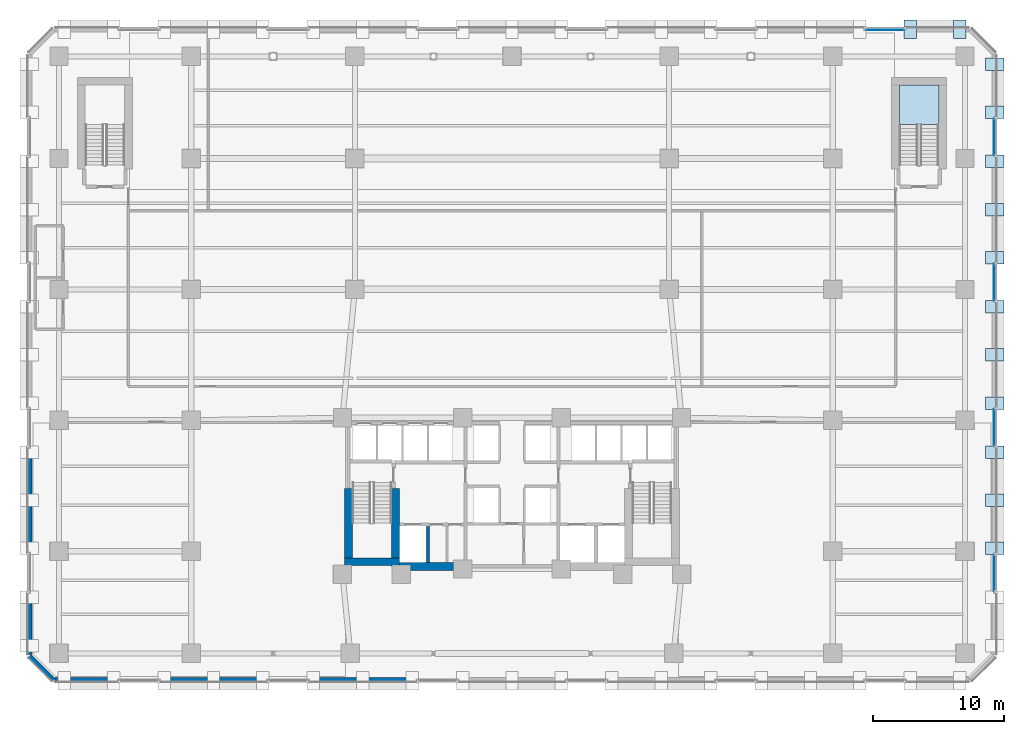
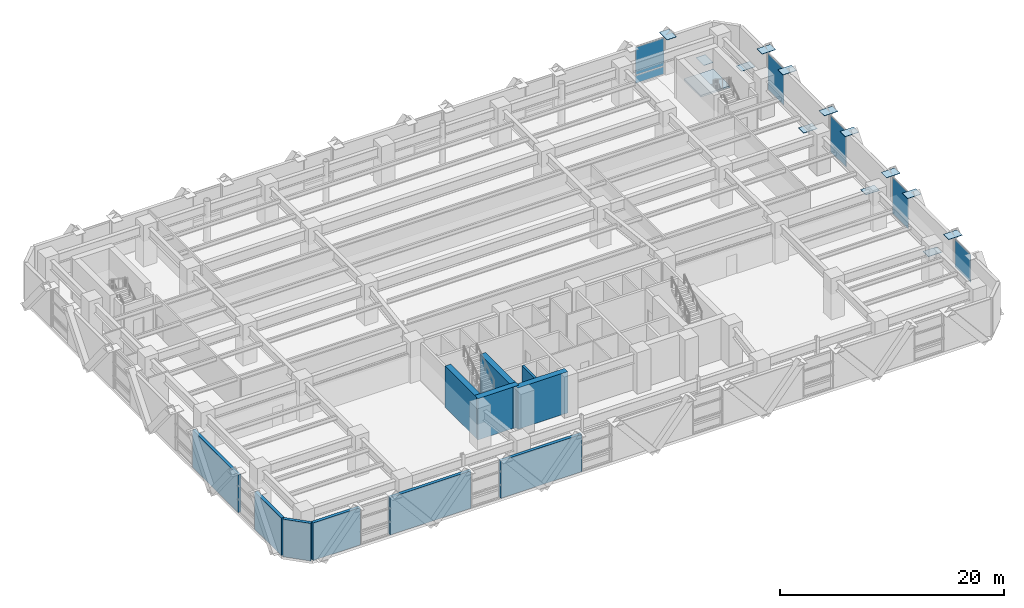
# One storey, part 13 of 26: 22 plates, 11 walls, 1 slab, 6 elements without a shape of their own.
"""IFC4 building model written with IfcOpenShell, lengths in metres."""

from ifc_helpers import new_model, si_unit, direction, frame, frame_2d, origin, origin_2d, place, context, subcontext, project, spatial, polyline, rectangle, outline, extrude, material, layer, layer_set, type_object, element, aggregate, save


model = new_model("IFC4")

# Units and contexts
model_context = context("Model", 3, precision=1e-05, world=origin(), true_north=direction((0.0, 1.0)))
body_context = subcontext(model_context, "Body", "Model", "MODEL_VIEW")
ifc_project = project(units=[si_unit("LENGTHUNIT", "METRE"), si_unit("AREAUNIT", "SQUARE_METRE"), si_unit("VOLUMEUNIT", "CUBIC_METRE"), si_unit("PLANEANGLEUNIT", "RADIAN"), si_unit("MASSUNIT", "GRAM", prefix="KILO")], contexts=[model_context])

# Site, building, storey
site_placement = place(None, origin())
site = spatial("IfcSite", under=ifc_project, at=site_placement, CompositionType="ELEMENT")
building_placement = place(site_placement, origin())
building = spatial("IfcBuilding", under=site, at=building_placement, Name="Quenlor Broadcast Tower", CompositionType="ELEMENT")
storey_placement = place(building_placement, frame((0.0, 0.0, 18.5)))
storey = spatial("IfcBuildingStorey", under=building, at=storey_placement, Name="L04", CompositionType="ELEMENT", Elevation=18.5)

# Curtain wall, plates
ifc_material_1 = material(Name="Architectural Terracotta and Low-E Glazing", Category="masonry")
curtain_wall_type = type_object("IfcCurtainWallType", Name="Station Concourse and Crown Terracotta Curtain Wall", PredefinedType="NOTDEFINED", material=ifc_material_1)
curtain_wall_1_placement = place(storey_placement, origin())
curtain_wall_1 = element("IfcCurtainWall", 1, at=curtain_wall_1_placement, inside=storey, type_object=curtain_wall_type, Name="L04 Curtain Wall CW6 (L04-N-FULL-G6)", PredefinedType="NOTDEFINED")
ifc_material_2 = material(Name="Double Glazed Low-E Solar Glass", Category="glass")
ifc_layer_1 = layer(ifc_material_2, 0.033935546875)
ifc_layer_set_1 = layer_set([ifc_layer_1], Name="CW6 Double Glazed Vision Panel 34")
plate_type_1 = type_object("IfcPlateType", Name="CW6 Double Glazed Vision Panel 34", PredefinedType="CURTAIN_PANEL", material=ifc_layer_set_1)
plate_1_placement = place(storey_placement, frame((28.5, 24.820068359375, 0.08203125), z_axis=(0.0, 0.0, 1.0), x_axis=(1.0, 0.0, 0.0)))
plate_1 = element("IfcPlate", 2, at=plate_1_placement, type_object=plate_type_1, Name="CW6 panel 1.1", PredefinedType="CURTAIN_PANEL", context=body_context, shape_type="SweptSolid", body=[
    extrude(rectangle(XDim=2.90576171875, YDim=0.033935546875, at=origin_2d()), origin(), (0.0, 0.0, 1.0), 0.826904296875),
])
plate_2_placement = place(storey_placement, frame((28.5, 24.820068359375, 0.99072265625), z_axis=(0.0, 0.0, 1.0), x_axis=(1.0, 0.0, 0.0)))
plate_2 = element("IfcPlate", 3, at=plate_2_placement, type_object=plate_type_1, Name="CW6 panel 1.2", PredefinedType="CURTAIN_PANEL", context=body_context, shape_type="SweptSolid", body=[
    extrude(rectangle(XDim=2.90576171875, YDim=0.033935546875, at=origin_2d()), origin(), (0.0, 0.0, 1.0), 3.007080078125),
])
aggregate(curtain_wall_1, [plate_1, plate_2])

curtain_wall_2_placement = place(storey_placement, origin())
curtain_wall_2 = element("IfcCurtainWall", 4, at=curtain_wall_2_placement, inside=storey, type_object=curtain_wall_type, Name="L04 Curtain Wall CW6 (L04-E-FULL-G1)", PredefinedType="NOTDEFINED")
plate_3_placement = place(storey_placement, frame((36.820068359375, 16.64990234375, 0.08203125), z_axis=(0.0, 0.0, 1.0), x_axis=(0.0, -1.0, 0.0)))
plate_3 = element("IfcPlate", 5, at=plate_3_placement, type_object=plate_type_1, Name="CW6 panel 1.1", PredefinedType="CURTAIN_PANEL", context=body_context, shape_type="SweptSolid", body=[
    extrude(rectangle(XDim=2.80517578125, YDim=0.033935546875, at=origin_2d()), origin(), (0.0, 0.0, 1.0), 0.826904296875),
])
plate_4_placement = place(storey_placement, frame((36.820068359375, 16.64990234375, 0.99072265625), z_axis=(0.0, 0.0, 1.0), x_axis=(0.0, -1.0, 0.0)))
plate_4 = element("IfcPlate", 6, at=plate_4_placement, type_object=plate_type_1, Name="CW6 panel 1.2", PredefinedType="CURTAIN_PANEL", context=body_context, shape_type="SweptSolid", body=[
    extrude(rectangle(XDim=2.80517578125, YDim=0.033935546875, at=origin_2d()), origin(), (0.0, 0.0, 1.0), 3.007080078125),
])
aggregate(curtain_wall_2, [plate_3, plate_4])

curtain_wall_3_placement = place(storey_placement, origin())
curtain_wall_3 = element("IfcCurtainWall", 7, at=curtain_wall_3_placement, inside=storey, type_object=curtain_wall_type, Name="L04 Curtain Wall CW6 (L04-E-FULL-G2)", PredefinedType="NOTDEFINED")
plate_5_placement = place(storey_placement, frame((36.820068359375, 5.550048828125, 0.08203125), z_axis=(0.0, 0.0, 1.0), x_axis=(0.0, -1.0, 0.0)))
plate_5 = element("IfcPlate", 8, at=plate_5_placement, type_object=plate_type_1, Name="CW6 panel 1.1", PredefinedType="CURTAIN_PANEL", context=body_context, shape_type="SweptSolid", body=[
    extrude(rectangle(XDim=2.80517578125, YDim=0.033935546875, at=origin_2d()), origin(), (0.0, 0.0, 1.0), 0.826904296875),
])
plate_6_placement = place(storey_placement, frame((36.820068359375, 5.550048828125, 0.99072265625), z_axis=(0.0, 0.0, 1.0), x_axis=(0.0, -1.0, 0.0)))
plate_6 = element("IfcPlate", 9, at=plate_6_placement, type_object=plate_type_1, Name="CW6 panel 1.2", PredefinedType="CURTAIN_PANEL", context=body_context, shape_type="SweptSolid", body=[
    extrude(rectangle(XDim=2.80517578125, YDim=0.033935546875, at=origin_2d()), origin(), (0.0, 0.0, 1.0), 3.007080078125),
])
aggregate(curtain_wall_3, [plate_5, plate_6])

curtain_wall_4_placement = place(storey_placement, origin())
curtain_wall_4 = element("IfcCurtainWall", 10, at=curtain_wall_4_placement, inside=storey, type_object=curtain_wall_type, Name="L04 Curtain Wall CW6 (L04-E-FULL-G3)", PredefinedType="NOTDEFINED")
plate_7_placement = place(storey_placement, frame((36.820068359375, -5.550048828125, 0.08203125), z_axis=(0.0, 0.0, 1.0), x_axis=(0.0, -1.0, 0.0)))
plate_7 = element("IfcPlate", 11, at=plate_7_placement, type_object=plate_type_1, Name="CW6 panel 1.1", PredefinedType="CURTAIN_PANEL", context=body_context, shape_type="SweptSolid", body=[
    extrude(rectangle(XDim=2.80517578125, YDim=0.033935546875, at=origin_2d()), origin(), (0.0, 0.0, 1.0), 0.826904296875),
])
plate_8_placement = place(storey_placement, frame((36.820068359375, -5.550048828125, 0.99072265625), z_axis=(0.0, 0.0, 1.0), x_axis=(0.0, -1.0, 0.0)))
plate_8 = element("IfcPlate", 12, at=plate_8_placement, type_object=plate_type_1, Name="CW6 panel 1.2", PredefinedType="CURTAIN_PANEL", context=body_context, shape_type="SweptSolid", body=[
    extrude(rectangle(XDim=2.80517578125, YDim=0.033935546875, at=origin_2d()), origin(), (0.0, 0.0, 1.0), 3.007080078125),
])
aggregate(curtain_wall_4, [plate_7, plate_8])

# Curtain wall, plate
curtain_wall_5_placement = place(storey_placement, origin())
curtain_wall_5 = element("IfcCurtainWall", 13, at=curtain_wall_5_placement, inside=storey, type_object=curtain_wall_type, Name="L04 Curtain Wall CW6 (L04-E-FULL-G4)", PredefinedType="NOTDEFINED")
plate_9_placement = place(storey_placement, frame((36.820068359375, -16.64990234375, 0.99072265625), z_axis=(0.0, 0.0, 1.0), x_axis=(0.0, -1.0, 0.0)))
plate_9 = element("IfcPlate", 14, at=plate_9_placement, type_object=plate_type_1, Name="CW6 panel 1.2", PredefinedType="CURTAIN_PANEL", context=body_context, shape_type="SweptSolid", body=[
    extrude(rectangle(XDim=2.80517578125, YDim=0.033935546875, at=origin_2d()), origin(), (0.0, 0.0, 1.0), 3.007080078125),
])
aggregate(curtain_wall_5, [plate_9])

# Stair, slab
ifc_material_3 = material(Name="Precast concrete C40/50", Category="concrete")
stair_type = type_object("IfcStairType", Name="Precast Concrete C40/50 Dogleg Stair H450", PredefinedType="HALF_TURN_STAIR", material=ifc_material_3)
stair_placement = place(storey_placement, origin())
stair = element("IfcStair", 15, at=stair_placement, inside=storey, type_object=stair_type, Name="L04 Station Podium North-East Exit Stair ST-4", PredefinedType="HALF_TURN_STAIR")
ifc_material_4 = material(Name="Precast concrete C40/50", Category="concrete")
ifc_layer_2 = layer(ifc_material_4, 0.199951171875)
ifc_layer_set_2 = layer_set([ifc_layer_2], Name="Precast Concrete C40/50 Stair Landing Slab 200")
slab_type = type_object("IfcSlabType", Name="Precast Concrete C40/50 Stair Landing Slab 200", PredefinedType="LANDING", material=ifc_layer_set_2)
slab_placement = place(storey_placement, frame((0.0, 0.0, 2.050048828125)))
slab = element("IfcSlab", 16, at=slab_placement, type_object=slab_type, Name="ST-4 landing 1", PredefinedType="LANDING", context=body_context, shape_type="SweptSolid", body=[
    extrude(outline(polyline([(32.60009765625, 17.580078125), (32.60009765625, 20.60009765625), (29.60009765625, 20.60009765625), (29.60009765625, 17.580078125), (32.60009765625, 17.580078125)])), origin(), (0.0, 0.0, 1.0), 0.199951171875),
])
aggregate(stair, [slab])

# Plates
ifc_material_5 = material(Name="Steel S355", Category="steel")
ifc_layer_3 = layer(ifc_material_5, 0.035888671875)
ifc_layer_set_3 = layer_set([ifc_layer_3], Name="Transfer Truss Steel S355 Gusset Node Plate 1400x950x36")
plate_type_2 = type_object("IfcPlateType", Name="Transfer Truss Steel S355 Gusset Node Plate 1400x950x36", PredefinedType="SHEET", material=ifc_layer_set_3)
for number, where, z_axis, x_axis, name in (
    (17, (34.199951171875, 24.8798828125, 0.0419921875), (0.0, 0.0, 1.0), (0.0, 1.0, 0.0), "L04 Podium Lattice Tie Gusset N-B18"),
    (18, (30.4228515625, 24.8798828125, 4.14208984375), (0.0, 0.0, 1.0), (0.0, 1.0, 0.0), "L04 Podium Lattice Tie Gusset N-T17"),
    (19, (36.8798828125, 22.199951171875, 0.0419921875), (0.0, 0.0, 1.0), (1.0, 0.0, 0.0), "L04 Podium Lattice Tie Gusset E-B0"),
    (20, (36.8798828125, 18.522216796875, 4.14208984375), (0.0, 0.0, 1.0), (1.0, 0.0, 0.0), "L04 Podium Lattice Tie Gusset E-T1"),
    (21, (36.8798828125, 11.10009765625, 0.0419921875), (0.0, 0.0, 1.0), (1.0, 0.0, 0.0), "L04 Podium Lattice Tie Gusset E-B3"),
    (22, (36.8798828125, 14.77783203125, 4.14208984375), (0.0, 0.0, 1.0), (1.0, 0.0, 0.0), "L04 Podium Lattice Tie Gusset E-T2"),
    (23, (36.8798828125, 7.422119140625, 4.14208984375), (0.0, 0.0, 1.0), (1.0, 0.0, 0.0), "L04 Podium Lattice Tie Gusset E-T4"),
    (24, (36.8798828125, 0.0, 0.0419921875), (0.0, 0.0, 1.0), (1.0, 0.0, 0.0), "L04 Podium Lattice Tie Gusset E-B6"),
    (25, (36.8798828125, 3.677734375, 4.14208984375), (0.0, 0.0, 1.0), (1.0, 0.0, 0.0), "L04 Podium Lattice Tie Gusset E-T5"),
    (26, (36.8798828125, -3.677734375, 4.14208984375), (0.0, 0.0, 1.0), (1.0, 0.0, 0.0), "L04 Podium Lattice Tie Gusset E-T7"),
    (27, (36.8798828125, -11.10009765625, 0.0419921875), (0.0, 0.0, 1.0), (1.0, 0.0, 0.0), "L04 Podium Lattice Tie Gusset E-B9"),
    (28, (36.8798828125, -7.422119140625, 4.14208984375), (0.0, 0.0, 1.0), (1.0, 0.0, 0.0), "L04 Podium Lattice Tie Gusset E-T8"),
    (29, (36.8798828125, -14.77783203125, 4.14208984375), (0.0, 0.0, 1.0), (1.0, 0.0, 0.0), "L04 Podium Lattice Tie Gusset E-T10"),
):
    element("IfcPlate", number, at=place(storey_placement, frame(where, z_axis=z_axis, x_axis=x_axis)), inside=storey, type_object=plate_type_2, Name=name, PredefinedType="SHEET", context=body_context, shape_type="SweptSolid", body=[
        extrude(rectangle(XDim=1.39990234375, YDim=0.949951171875, at=origin_2d()), origin(), (0.0, 0.0, 1.0), 0.035888671875),
    ])

# Walls
ifc_material_6 = material(Name="Concrete C65/80", Category="concrete")
ifc_layer_4 = layer(ifc_material_6, 0.60009765625)
ifc_layer_set_4 = layer_set([ifc_layer_4], Name="Core Concrete C65/80 Shear Wall 600")
wall_type_1 = type_object("IfcWallType", Name="Core Concrete C65/80 Shear Wall 600", PredefinedType="SHEAR", material=ifc_layer_set_4)
wall_1_placement = place(storey_placement, frame((-12.800048828125, -15.800048828125, 0.0), z_axis=(0.0, 0.0, 1.0), x_axis=(1.0, 0.0, 0.0)))
element("IfcWall", 30, at=wall_1_placement, inside=storey, type_object=wall_type_1, Name="L04 Core Shear Wall WS-W1", PredefinedType="SHEAR", context=body_context, shape_type="SweptSolid", body=[
    extrude(rectangle(XDim=4.199951171875, YDim=0.60009765625, at=frame_2d((2.10009765625, 0.0))), origin(), (0.0, 0.0, 1.0), 4.5),
])
wall_2_placement = place(storey_placement, frame((-8.89990234375, -16.14990234375, 0.0), z_axis=(0.0, 0.0, 1.0), x_axis=(1.0, 0.0, 0.0)))
element("IfcWall", 31, at=wall_2_placement, inside=storey, type_object=wall_type_1, Name="L04 Core Shear Wall WS-W2", PredefinedType="SHEAR", context=body_context, shape_type="SweptSolid", body=[
    extrude(rectangle(XDim=5.14990234375, YDim=0.60009765625, at=frame_2d((2.574951171875, 0.0))), origin(), (0.0, 0.0, 1.0), 4.5),
])
wall_3_placement = place(storey_placement, frame((-12.5, -15.800048828125, 0.0), z_axis=(0.0, 0.0, 1.0), x_axis=(0.0, 1.0, 0.0)))
element("IfcWall", 32, at=wall_3_placement, inside=storey, type_object=wall_type_1, Name="L04 Core Shear Wall WF-W", PredefinedType="SHEAR", context=body_context, shape_type="SweptSolid", body=[
    extrude(rectangle(XDim=5.60009765625, YDim=0.60009765625, at=frame_2d((2.800048828125, 0.0))), origin(), (0.0, 0.0, 1.0), 4.5),
])
wall_4_placement = place(storey_placement, frame((-8.89990234375, -16.14990234375, 0.0), z_axis=(0.0, 0.0, 1.0), x_axis=(0.0, 1.0, 0.0)))
element("IfcWall", 33, at=wall_4_placement, inside=storey, type_object=wall_type_1, Name="L04 Core Shear Wall WI-W", PredefinedType="SHEAR", context=body_context, shape_type="SweptSolid", body=[
    extrude(rectangle(XDim=5.949951171875, YDim=0.60009765625, at=frame_2d((2.97509765625, 0.0))), origin(), (0.0, 0.0, 1.0), 4.5),
])
ifc_material_7 = material(Name="Concrete C40/50", Category="concrete")
ifc_layer_5 = layer(ifc_material_7, 0.25)
ifc_layer_set_5 = layer_set([ifc_layer_5], Name="Fire Rated Concrete C40/50 Core Wall 250")
wall_type_2 = type_object("IfcWallType", Name="Fire Rated Concrete C40/50 Core Wall 250", PredefinedType="PARTITIONING", material=ifc_layer_set_5)
wall_5_placement = place(storey_placement, frame((-6.419921875, -15.847900390625, 0.0), z_axis=(0.0, 0.0, 1.0), x_axis=(0.0, 1.0, 0.0)))
element("IfcWall", 34, at=wall_5_placement, inside=storey, type_object=wall_type_2, Name="L04 Interior Wall CW-FF1-E", PredefinedType="PARTITIONING", context=body_context, shape_type="SweptSolid", body=[
    extrude(rectangle(XDim=2.7578125, YDim=0.25, at=frame_2d((1.37890625, 0.0))), origin(), (0.0, 0.0, 1.0), 4.080078125),
])
ifc_material_8 = material(Name="Precast concrete C40/50", Category="concrete")
ifc_layer_6 = layer(ifc_material_8, 0.320068359375)
ifc_layer_set_6 = layer_set([ifc_layer_6], Name="Station Podium Precast Concrete C40/50 Facade Wall 320")
wall_type_3 = type_object("IfcWallType", Name="Station Podium Precast Concrete C40/50 Facade Wall 320", PredefinedType="STANDARD", material=ifc_layer_set_6)
wall_6_placement = place(storey_placement, frame((-7.23486328125, -24.820068359375, 0.0), z_axis=(0.0, 0.0, 1.0), x_axis=(-1.0, 0.0, 0.0)))
element("IfcWall", 35, at=wall_6_placement, inside=storey, type_object=wall_type_3, Name="L04 Exterior Wall L04-S-FULL-SP5", PredefinedType="STANDARD", context=body_context, shape_type="SweptSolid", body=[
    extrude(rectangle(XDim=8.330322265625, YDim=0.320068359375, at=frame_2d((4.1650390625, 0.0))), origin(), (0.0, 0.0, 1.0), 4.080078125),
])
wall_7_placement = place(storey_placement, frame((-18.635009765625, -24.820068359375, 0.0), z_axis=(0.0, 0.0, 1.0), x_axis=(-1.0, 0.0, 0.0)))
element("IfcWall", 36, at=wall_7_placement, inside=storey, type_object=wall_type_3, Name="L04 Exterior Wall L04-S-FULL-SP6", PredefinedType="STANDARD", context=body_context, shape_type="SweptSolid", body=[
    extrude(rectangle(XDim=8.330078125, YDim=0.320068359375, at=frame_2d((4.1650390625, 0.0))), origin(), (0.0, 0.0, 1.0), 4.080078125),
])
wall_8_placement = place(storey_placement, frame((-30.034912109375, -24.820068359375, 0.0), z_axis=(0.0, 0.0, 1.0), x_axis=(-1.0, 0.0, 0.0)))
element("IfcWall", 37, at=wall_8_placement, inside=storey, type_object=wall_type_3, Name="L04 Exterior Wall L04-S-FULL-SP7", PredefinedType="STANDARD", context=body_context, shape_type="SweptSolid", body=[
    extrude(rectangle(XDim=4.864990234375, YDim=0.320068359375, at=frame_2d((2.4326171875, 0.0))), origin(), (0.0, 0.0, 1.0), 4.080078125),
])
wall_9_placement = place(storey_placement, frame((-36.820068359375, -22.89990234375, 0.0), z_axis=(0.0, 0.0, 1.0), x_axis=(0.0, 1.0, 0.0)))
element("IfcWall", 38, at=wall_9_placement, inside=storey, type_object=wall_type_3, Name="L04 Exterior Wall L04-W-FULL-SP1", PredefinedType="STANDARD", context=body_context, shape_type="SweptSolid", body=[
    extrude(rectangle(XDim=4.765380859375, YDim=0.320068359375, at=frame_2d((2.3828125, 0.0))), origin(), (0.0, 0.0, 1.0), 4.080078125),
])
wall_10_placement = place(storey_placement, frame((-36.820068359375, -15.165283203125, 0.0), z_axis=(0.0, 0.0, 1.0), x_axis=(0.0, 1.0, 0.0)))
element("IfcWall", 39, at=wall_10_placement, inside=storey, type_object=wall_type_3, Name="L04 Exterior Wall L04-W-FULL-SP2", PredefinedType="STANDARD", context=body_context, shape_type="SweptSolid", body=[
    extrude(rectangle(XDim=8.130615234375, YDim=0.320068359375, at=frame_2d((4.0654296875, 0.0))), origin(), (0.0, 0.0, 1.0), 4.080078125),
])
wall_11_placement = place(storey_placement, frame((-35.0, -24.820068359375, 0.0), z_axis=(0.0, 0.0, 1.0), x_axis=(-0.707106781187, 0.707106781187, 0.0)))
element("IfcWall", 40, at=wall_11_placement, inside=storey, type_object=wall_type_3, Name="L04 Exterior Wall L04-EW-CSW", PredefinedType="STANDARD", context=body_context, shape_type="SweptSolid", body=[
    extrude(rectangle(XDim=2.573974609375, YDim=0.320068359375, at=frame_2d((1.287109375, 0.0))), origin(), (0.0, 0.0, 1.0), 4.080078125),
])

save(model, "model.ifc")
